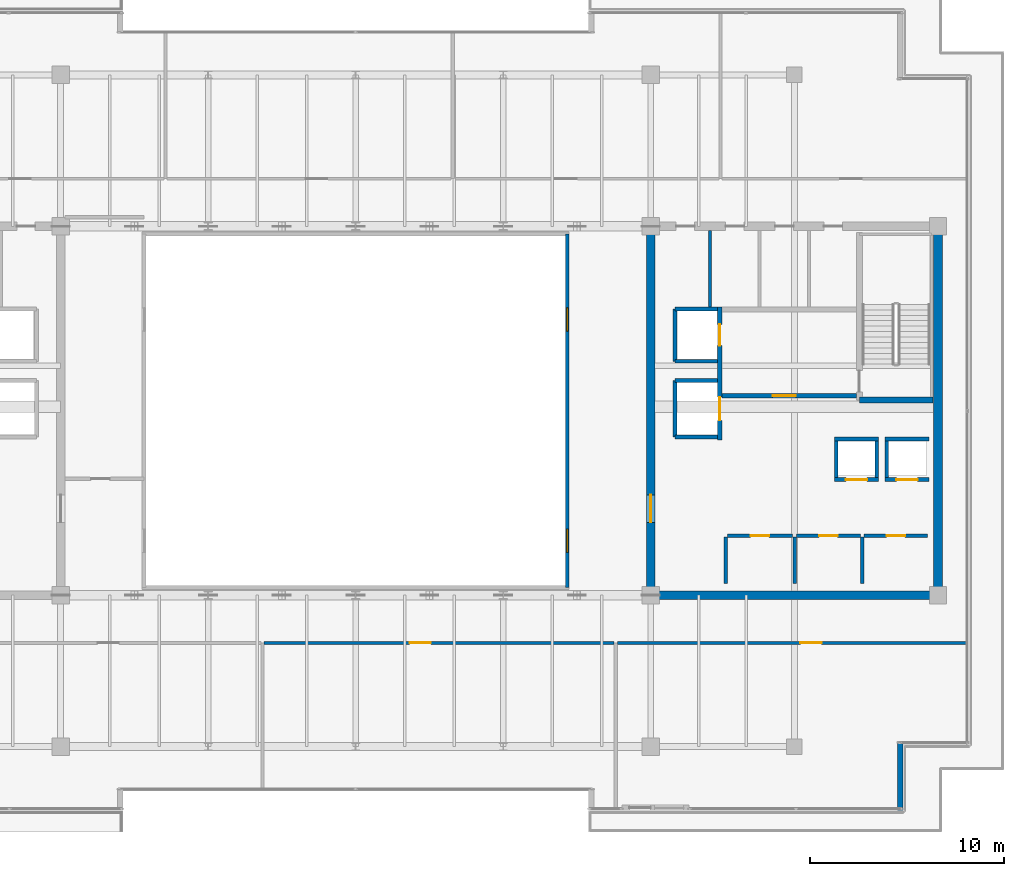
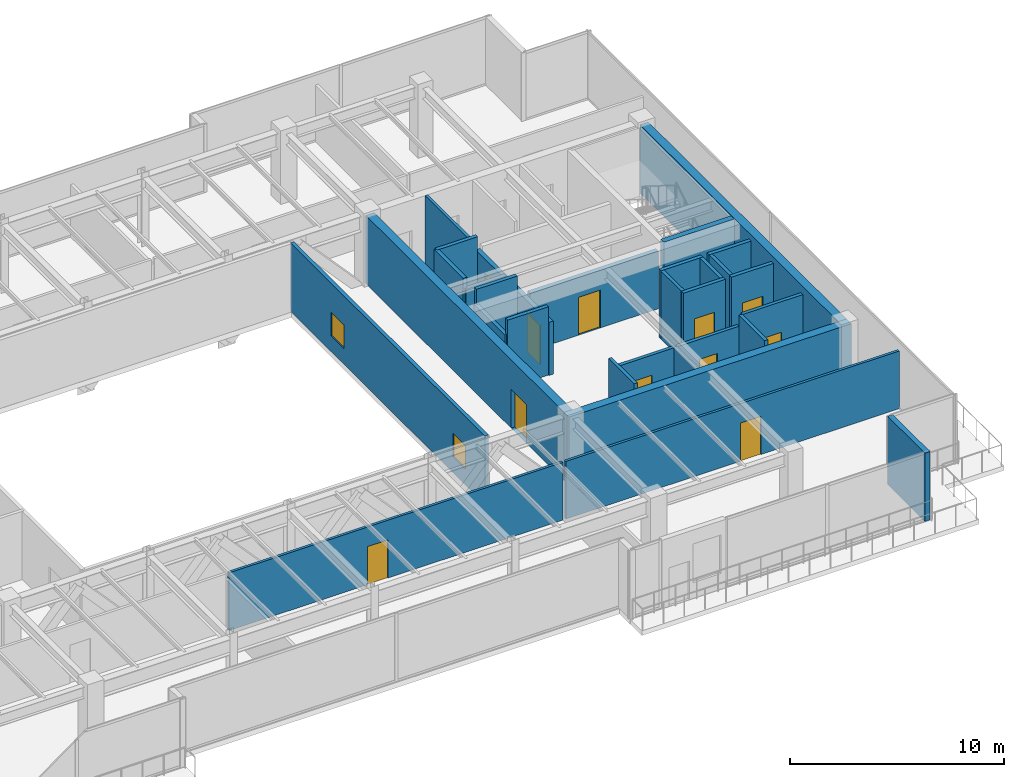
# One storey, part 28 of 34: 30 walls, 11 doors, 2 windows, 13 openings.
"""IFC4 building model written with IfcOpenShell, lengths in metres."""

from ifc_helpers import new_model, si_unit, direction, frame, frame_2d, origin, place, context, subcontext, project, spatial, rectangle, extrude, source, transform, mapped, material, layer, layer_set, type_object, type_shapes, element, fill, save


model = new_model("IFC4")

# Units and contexts
model_context = context("Model", 3, precision=1e-05, world=origin(), true_north=direction((0.0, 1.0)))
body_context = subcontext(model_context, "Body", "Model", "MODEL_VIEW")
ifc_project = project(units=[si_unit("LENGTHUNIT", "METRE"), si_unit("AREAUNIT", "SQUARE_METRE"), si_unit("VOLUMEUNIT", "CUBIC_METRE"), si_unit("PLANEANGLEUNIT", "RADIAN"), si_unit("MASSUNIT", "GRAM", prefix="KILO")], contexts=[model_context])

# Site, building, storey
site_placement = place(None, origin())
site = spatial("IfcSite", under=ifc_project, at=site_placement, CompositionType="ELEMENT")
building_placement = place(site_placement, origin())
building = spatial("IfcBuilding", under=site, at=building_placement, Name="Haelvirn Gate Laboratories", CompositionType="ELEMENT")
storey_placement = place(building_placement, frame((0.0, 0.0, 297.60009765625)))
storey = spatial("IfcBuildingStorey", under=building, at=storey_placement, Name="L71", CompositionType="ELEMENT", Elevation=297.60009765625)

# Wall
ifc_material_1 = material(Name="Thermally-broken bronze aluminium rainscreen & mineral wool", Category="aluminium")
ifc_layer_1 = layer(ifc_material_1, 0.280029296875, Name="EW-TERR-280")
ifc_layer_set_1 = layer_set([ifc_layer_1], Name="Thermally-broken bronze aluminium rainscreen & mineral wool")
wall_type_1 = type_object("IfcWallType", Name="EW-TERR-280", PredefinedType="STANDARD", material=ifc_layer_set_1)
wall_1_placement = place(storey_placement, frame((65.4599609375, 3.699951171875, 0.0), z_axis=(0.0, 0.0, 1.0), x_axis=(0.0, 1.0, 0.0)))
element("IfcWall", 1, at=wall_1_placement, inside=storey, type_object=wall_type_1, Name="L71 Atrium Recess Bronze Return Wall 05", PredefinedType="STANDARD", context=body_context, shape_type="SweptSolid", body=[
    extrude(rectangle(XDim=3.488037109375, YDim=0.280029296875, at=frame_2d((1.744140625, 0.0))), origin(), (0.0, 0.0, 1.0), 3.89990234375),
])

# Wall, openings, windows
ifc_material_2 = material(Name="Tempered fire-rated borosilicate glass & anodised aluminium", Category="aluminium")
ifc_layer_2 = layer(ifc_material_2, 0.195068359375, Name="IW-GLAZ-200")
ifc_layer_set_2 = layer_set([ifc_layer_2], Name="Tempered fire-rated borosilicate glass & anodised aluminium")
wall_type_2 = type_object("IfcWallType", Name="IW-GLAZ-200", PredefinedType="SOLIDWALL", material=ifc_layer_set_2)
wall_2_placement = place(storey_placement, frame((48.300048828125, 15.199951171875, 0.0), z_axis=(0.0, 0.0, 1.0), x_axis=(0.0, 1.0, 0.0)))
wall_2 = element("IfcWall", 2, at=wall_2_placement, inside=storey, type_object=wall_type_2, Name="L71 Interior Wall IW-L71-ATRIUM-E", PredefinedType="SOLIDWALL", context=body_context, shape_type="SweptSolid", body=[
    extrude(rectangle(XDim=18.199951171875, YDim=0.195068359375, at=frame_2d((9.10009765625, 0.0))), origin(), (0.0, 0.0, 1.0), 3.89990234375),
])
opening_1_placement = place(wall_2_placement, frame((1.800048828125, 0.0, 0.89990234375)))
opening_1 = element("IfcOpeningElement", 3, at=opening_1_placement, cuts=wall_2, Name="Opening W6", PredefinedType="OPENING", context=body_context, shape_type="SweptSolid", body=[
    extrude(rectangle(XDim=1.199951171875, YDim=1.35009765625, at=frame_2d((0.60009765625, 0.675048828125))), frame((0.0, 0.107421875, 0.0), z_axis=(0.0, -1.0, 0.0), x_axis=(1.0, 0.0, 0.0)), (0.0, 0.0, 1.0), 0.215087890625),
])
opening_2_placement = place(wall_2_placement, frame((13.199951171875, 0.0, 0.89990234375)))
opening_2 = element("IfcOpeningElement", 4, at=opening_2_placement, cuts=wall_2, Name="Opening W6", PredefinedType="OPENING", context=body_context, shape_type="SweptSolid", body=[
    extrude(rectangle(XDim=1.199951171875, YDim=1.35009765625, at=frame_2d((0.60009765625, 0.675048828125))), frame((0.0, 0.107421875, 0.0), z_axis=(0.0, -1.0, 0.0), x_axis=(1.0, 0.0, 0.0)), (0.0, 0.0, 1.0), 0.215087890625),
])
ifc_material_3 = material(Name="Fire-rated EI 120 borosilicate atrium vision glazing", Category="glass")
window_type = type_object("IfcWindowType", Name="WN-ATR-1200", PartitioningType="SINGLE_PANEL", PredefinedType="WINDOW", material=ifc_material_3)
shared_shape_1 = source(origin(), body_context, "Body", "SweptSolid", [
    extrude(rectangle(XDim=1.199951171875, YDim=1.35009765625, at=frame_2d((0.60009765625, 0.675048828125))), frame((0.0, 0.030029296875, 0.0), z_axis=(0.0, -1.0, 0.0), x_axis=(1.0, 0.0, 0.0)), (0.0, 0.0, 1.0), 0.06005859375),
])
type_shapes(window_type, [shared_shape_1])
window_1_placement = place(opening_1_placement, origin())
window_1 = element("IfcWindow", 5, at=window_1_placement, inside=storey, type_object=window_type, Name="L71 Atrium Observation Window 1", OverallHeight=1.35009765625, OverallWidth=1.199951171875, PartitioningType="SINGLE_PANEL", PredefinedType="WINDOW", context=body_context, shape_type="MappedRepresentation", body=[
    mapped(shared_shape_1, transform((0.0, 0.0, 0.0), scale=1.0)),
])
fill(opening_1, window_1)
window_2_placement = place(opening_2_placement, origin())
window_2 = element("IfcWindow", 6, at=window_2_placement, inside=storey, type_object=window_type, Name="L71 Atrium Observation Window 2", OverallHeight=1.35009765625, OverallWidth=1.199951171875, PartitioningType="SINGLE_PANEL", PredefinedType="WINDOW", context=body_context, shape_type="MappedRepresentation", body=[
    mapped(shared_shape_1, transform((0.0, 0.0, 0.0), scale=1.0)),
])
fill(opening_2, window_2)

# Wall, opening, door
ifc_material_4 = material(Name="Acoustic mineral-wool gypsum board partition", Category="gypsum")
ifc_layer_3 = layer(ifc_material_4, 0.139892578125, Name="IW-PART-140")
ifc_layer_set_3 = layer_set([ifc_layer_3], Name="Acoustic mineral-wool gypsum board partition")
wall_type_3 = type_object("IfcWallType", Name="IW-PART-140", PredefinedType="PARTITIONING", material=ifc_layer_set_3)
wall_3_placement = place(storey_placement, frame((32.679931640625, 12.340087890625, 0.0), z_axis=(0.0, 0.0, 1.0), x_axis=(1.0, 0.0, 0.0)))
wall_3 = element("IfcWall", 7, at=wall_3_placement, inside=storey, type_object=wall_type_3, Name="L71 Interior Wall IW-L71-SCORR-03", PredefinedType="PARTITIONING", context=body_context, shape_type="SweptSolid", body=[
    extrude(rectangle(XDim=18.0400390625, YDim=0.139892578125, at=frame_2d((9.02001953125, 0.0))), origin(), (0.0, 0.0, 1.0), 3.296875),
])
opening_3_placement = place(wall_3_placement, frame((7.49560546875, 0.0, 0.0)))
opening_3 = element("IfcOpeningElement", 8, at=opening_3_placement, cuts=wall_3, Name="Opening D1", PredefinedType="OPENING", context=body_context, shape_type="SweptSolid", body=[
    extrude(rectangle(XDim=1.10009765625, YDim=2.179931640625, at=frame_2d((0.550048828125, 1.08984375))), frame((0.0, 0.080078125, 0.0), z_axis=(0.0, -1.0, 0.0), x_axis=(1.0, 0.0, 0.0)), (0.0, 0.0, 1.0), 0.159912109375),
])
ifc_material_5 = material(Name="Vision-panel acoustic solid-core timber lab door", Category="wood")
door_type_1 = type_object("IfcDoorType", Name="DR-LAB-1100", OperationType="NOTDEFINED", PredefinedType="DOOR", material=ifc_material_5)
shared_shape_2 = source(origin(), body_context, "Body", "SweptSolid", [
    extrude(rectangle(XDim=1.10009765625, YDim=2.179931640625, at=frame_2d((0.550048828125, 1.08984375))), frame((0.0, 0.02490234375, 0.0), z_axis=(0.0, -1.0, 0.0), x_axis=(1.0, 0.0, 0.0)), (0.0, 0.0, 1.0), 0.050048828125),
])
type_shapes(door_type_1, [shared_shape_2])
door_1_placement = place(opening_3_placement, origin())
door_1 = element("IfcDoor", 9, at=door_1_placement, inside=storey, type_object=door_type_1, Name="L71 Bioinformatics Dry-Lab Workspace Door S3", OperationType="SINGLE_SWING_RIGHT", OverallHeight=2.179931640625, OverallWidth=1.10009765625, PredefinedType="DOOR", context=body_context, shape_type="MappedRepresentation", body=[
    mapped(shared_shape_2, transform((0.0, 0.0, 0.0), scale=1.0)),
])
fill(opening_3, door_1)

wall_4_placement = place(storey_placement, frame((50.8798828125, 12.340087890625, 0.0), z_axis=(0.0, 0.0, 1.0), x_axis=(1.0, 0.0, 0.0)))
wall_4 = element("IfcWall", 10, at=wall_4_placement, inside=storey, type_object=wall_type_3, Name="L71 Interior Wall IW-L71-SCORR-04", PredefinedType="PARTITIONING", context=body_context, shape_type="SweptSolid", body=[
    extrude(rectangle(XDim=18.010009765625, YDim=0.139892578125, at=frame_2d((9.0048828125, 0.0))), origin(), (0.0, 0.0, 1.0), 3.296875),
])
opening_4_placement = place(wall_4_placement, frame((9.427490234375, 0.0, 0.0)))
opening_4 = element("IfcOpeningElement", 11, at=opening_4_placement, cuts=wall_4, Name="Opening D1", PredefinedType="OPENING", context=body_context, shape_type="SweptSolid", body=[
    extrude(rectangle(XDim=1.10009765625, YDim=2.179931640625, at=frame_2d((0.550048828125, 1.08984375))), frame((0.0, 0.080078125, 0.0), z_axis=(0.0, -1.0, 0.0), x_axis=(1.0, 0.0, 0.0)), (0.0, 0.0, 1.0), 0.159912109375),
])
door_2_placement = place(opening_4_placement, origin())
door_2 = element("IfcDoor", 12, at=door_2_placement, inside=storey, type_object=door_type_1, Name="L71 Translational Data Office Door S4", OperationType="SINGLE_SWING_LEFT", OverallHeight=2.179931640625, OverallWidth=1.10009765625, PredefinedType="DOOR", context=body_context, shape_type="MappedRepresentation", body=[
    mapped(shared_shape_2, transform((0.0, 0.0, 0.0), scale=1.0)),
])
fill(opening_4, door_2)

# Walls
ifc_material_6 = material(Name="Cement-board restroom plumbing chase wall", Category="gypsum")
ifc_layer_4 = layer(ifc_material_6, 0.155029296875, Name="IW-PLUMB-160")
ifc_layer_set_4 = layer_set([ifc_layer_4], Name="Cement-board restroom plumbing chase wall")
wall_type_4 = type_object("IfcWallType", Name="IW-PLUMB-160", PredefinedType="PLUMBINGWALL", material=ifc_layer_set_4)
wall_5_placement = place(storey_placement, frame((55.659912109375, 29.64990234375, 0.0), z_axis=(0.0, 0.0, 1.0), x_axis=(0.0, 1.0, 0.0)))
element("IfcWall", 13, at=wall_5_placement, inside=storey, type_object=wall_type_4, Name="L71 Interior Wall IW-L71-E-CDIV-3", PredefinedType="PLUMBINGWALL", context=body_context, shape_type="SweptSolid", body=[
    extrude(rectangle(XDim=3.93017578125, YDim=0.155029296875, at=frame_2d((1.965087890625, 0.0))), origin(), (0.0, 0.0, 1.0), 3.89990234375),
])
ifc_material_7 = material(Name="Concrete C40/50", Category="concrete")
ifc_layer_5 = layer(ifc_material_7, 0.179931640625, Name="IW-SHAFT-180")
ifc_layer_set_5 = layer_set([ifc_layer_5], Name="Concrete C40/50")
wall_type_5 = type_object("IfcWallType", Name="IW-SHAFT-180", PredefinedType="SOLIDWALL", material=ifc_layer_set_5)
for number, where, z_axis, x_axis, name in (
    (14, (64.75, 20.85009765625, 0.0), (0.0, 0.0, 1.0), (0.0, 1.0, 0.0), "L71 Interior Wall IW-L71-PL11-SD"),
    (15, (62.14990234375, 20.85009765625, 0.0), (0.0, 0.0, 1.0), (0.0, 1.0, 0.0), "L71 Interior Wall IW-L71-PL12-SD"),
    (16, (64.25, 20.85009765625, 0.0), (0.0, 0.0, 1.0), (0.0, 1.0, 0.0), "L71 Interior Wall IW-L71-PL12-SDE"),
):
    element("IfcWall", number, at=place(storey_placement, frame(where, z_axis=z_axis, x_axis=x_axis)), inside=storey, type_object=wall_type_5, Name=name, PredefinedType="SOLIDWALL", context=body_context, shape_type="SweptSolid", body=[
        extrude(rectangle(XDim=1.89990234375, YDim=0.179931640625, at=frame_2d((0.949951171875, 0.0))), origin(), (0.0, 0.0, 1.0), 3.89990234375),
    ])

# Wall, opening, door
wall_6_placement = place(storey_placement, frame((63.60009765625, 17.85009765625, 0.0), z_axis=(0.0, 0.0, 1.0), x_axis=(1.0, 0.0, 0.0)))
wall_6 = element("IfcWall", 17, at=wall_6_placement, inside=storey, type_object=wall_type_5, Name="L71 Interior Wall IW-L71-E-FREED-HN-1", PredefinedType="SOLIDWALL", context=body_context, shape_type="SweptSolid", body=[
    extrude(rectangle(XDim=3.25, YDim=0.179931640625, at=frame_2d((1.625, 0.0))), origin(), (0.0, 0.0, 1.0), 3.89990234375),
])
opening_5_placement = place(wall_6_placement, frame((1.14990234375, 0.0, 0.0)))
opening_5 = element("IfcOpeningElement", 18, at=opening_5_placement, cuts=wall_6, Name="Opening FD4", PredefinedType="OPENING", context=body_context, shape_type="SweptSolid", body=[
    extrude(rectangle(XDim=0.949951171875, YDim=2.14990234375, at=frame_2d((0.47509765625, 1.074951171875))), frame((0.0, 0.10009765625, 0.0), z_axis=(0.0, -1.0, 0.0), x_axis=(1.0, 0.0, 0.0)), (0.0, 0.0, 1.0), 0.199951171875),
])
ifc_material_8 = material(Name="Fire-rated steel SM355 core service door", Category="steel")
door_type_2 = type_object("IfcDoorType", Name="DR-FD-950", OperationType="NOTDEFINED", PredefinedType="DOOR", material=ifc_material_8)
shared_shape_3 = source(origin(), body_context, "Body", "SweptSolid", [
    extrude(rectangle(XDim=0.949951171875, YDim=2.14990234375, at=frame_2d((0.47509765625, 1.074951171875))), frame((0.0, 0.02490234375, 0.0), z_axis=(0.0, -1.0, 0.0), x_axis=(1.0, 0.0, 0.0)), (0.0, 0.0, 1.0), 0.050048828125),
])
type_shapes(door_type_2, [shared_shape_3])
door_3_placement = place(opening_5_placement, origin())
door_3 = element("IfcDoor", 19, at=door_3_placement, inside=storey, type_object=door_type_2, Name="L71 Autoclave Bio-Prep Room Door", OperationType="SINGLE_SWING_LEFT", OverallHeight=2.14990234375, OverallWidth=0.949951171875, PredefinedType="DOOR", context=body_context, shape_type="MappedRepresentation", body=[
    mapped(shared_shape_3, transform((0.0, 0.0, 0.0), scale=1.0)),
])
fill(opening_5, door_3)

# Wall
wall_7_placement = place(storey_placement, frame((63.510009765625, 15.39990234375, 0.0), z_axis=(0.0, 0.0, 1.0), x_axis=(0.0, 1.0, 0.0)))
element("IfcWall", 20, at=wall_7_placement, inside=storey, type_object=wall_type_5, Name="L71 Interior Wall IW-L71-E-FREED-HE-1", PredefinedType="SOLIDWALL", context=body_context, shape_type="SweptSolid", body=[
    extrude(rectangle(XDim=2.400146484375, YDim=0.179931640625, at=frame_2d((1.2001953125, 0.0))), origin(), (0.0, 0.0, 1.0), 3.89990234375),
])

# Wall, opening, door
wall_8_placement = place(storey_placement, frame((60.10009765625, 17.85009765625, 0.0), z_axis=(0.0, 0.0, 1.0), x_axis=(1.0, 0.0, 0.0)))
wall_8 = element("IfcWall", 21, at=wall_8_placement, inside=storey, type_object=wall_type_5, Name="L71 Interior Wall IW-L71-E-FREED-HN-2", PredefinedType="SOLIDWALL", context=body_context, shape_type="SweptSolid", body=[
    extrude(rectangle(XDim=3.2998046875, YDim=0.179931640625, at=frame_2d((1.64990234375, 0.0))), origin(), (0.0, 0.0, 1.0), 3.296875),
])
opening_6_placement = place(wall_8_placement, frame((1.175048828125, 0.0, 0.0)))
opening_6 = element("IfcOpeningElement", 22, at=opening_6_placement, cuts=wall_8, Name="Opening FD4", PredefinedType="OPENING", context=body_context, shape_type="SweptSolid", body=[
    extrude(rectangle(XDim=0.949951171875, YDim=2.14990234375, at=frame_2d((0.47509765625, 1.074951171875))), frame((0.0, 0.10009765625, 0.0), z_axis=(0.0, -1.0, 0.0), x_axis=(1.0, 0.0, 0.0)), (0.0, 0.0, 1.0), 0.199951171875),
])
door_4_placement = place(opening_6_placement, origin())
door_4 = element("IfcDoor", 23, at=door_4_placement, inside=storey, type_object=door_type_2, Name="L71 Telemetry Analytics Room Door", OperationType="SINGLE_SWING_RIGHT", OverallHeight=2.14990234375, OverallWidth=0.949951171875, PredefinedType="DOOR", context=body_context, shape_type="MappedRepresentation", body=[
    mapped(shared_shape_3, transform((0.0, 0.0, 0.0), scale=1.0)),
])
fill(opening_6, door_4)

# Wall
wall_9_placement = place(storey_placement, frame((60.010009765625, 15.39990234375, 0.0), z_axis=(0.0, 0.0, 1.0), x_axis=(0.0, 1.0, 0.0)))
element("IfcWall", 24, at=wall_9_placement, inside=storey, type_object=wall_type_5, Name="L71 Interior Wall IW-L71-E-FREED-HE-2", PredefinedType="SOLIDWALL", context=body_context, shape_type="SweptSolid", body=[
    extrude(rectangle(XDim=2.400146484375, YDim=0.179931640625, at=frame_2d((1.2001953125, 0.0))), origin(), (0.0, 0.0, 1.0), 3.296875),
])

# Wall, opening, door
wall_10_placement = place(storey_placement, frame((56.550048828125, 17.85009765625, 0.0), z_axis=(0.0, 0.0, 1.0), x_axis=(1.0, 0.0, 0.0)))
wall_10 = element("IfcWall", 25, at=wall_10_placement, inside=storey, type_object=wall_type_5, Name="L71 Interior Wall IW-L71-E-FREED-HN-3", PredefinedType="SOLIDWALL", context=body_context, shape_type="SweptSolid", body=[
    extrude(rectangle(XDim=3.349853515625, YDim=0.179931640625, at=frame_2d((1.6748046875, 0.0))), origin(), (0.0, 0.0, 1.0), 3.296875),
])
opening_7_placement = place(wall_10_placement, frame((1.199951171875, 0.0, 0.0)))
opening_7 = element("IfcOpeningElement", 26, at=opening_7_placement, cuts=wall_10, Name="Opening FD4", PredefinedType="OPENING", context=body_context, shape_type="SweptSolid", body=[
    extrude(rectangle(XDim=0.949951171875, YDim=2.14990234375, at=frame_2d((0.47509765625, 1.074951171875))), frame((0.0, 0.10009765625, 0.0), z_axis=(0.0, -1.0, 0.0), x_axis=(1.0, 0.0, 0.0)), (0.0, 0.0, 1.0), 0.199951171875),
])
door_5_placement = place(opening_7_placement, origin())
door_5 = element("IfcDoor", 27, at=door_5_placement, inside=storey, type_object=door_type_2, Name="L71 Calibration Metrology Room Door", OperationType="SINGLE_SWING_LEFT", OverallHeight=2.14990234375, OverallWidth=0.949951171875, PredefinedType="DOOR", context=body_context, shape_type="MappedRepresentation", body=[
    mapped(shared_shape_3, transform((0.0, 0.0, 0.0), scale=1.0)),
])
fill(opening_7, door_5)

# Wall
wall_11_placement = place(storey_placement, frame((56.4599609375, 15.39990234375, 0.0), z_axis=(0.0, 0.0, 1.0), x_axis=(0.0, 1.0, 0.0)))
element("IfcWall", 28, at=wall_11_placement, inside=storey, type_object=wall_type_5, Name="L71 Interior Wall IW-L71-E-FREED-HE-3", PredefinedType="SOLIDWALL", context=body_context, shape_type="SweptSolid", body=[
    extrude(rectangle(XDim=2.400146484375, YDim=0.179931640625, at=frame_2d((1.2001953125, 0.0))), origin(), (0.0, 0.0, 1.0), 3.89990234375),
])

# Wall, opening, door
ifc_layer_6 = layer(ifc_material_7, 0.199951171875, Name="IW-SHAFT-200")
ifc_layer_set_6 = layer_set([ifc_layer_6], Name="Concrete C40/50")
wall_type_6 = type_object("IfcWallType", Name="IW-SHAFT-200", PredefinedType="SOLIDWALL", material=ifc_layer_set_6)
wall_12_placement = place(storey_placement, frame((64.669921875, 20.75, 0.0), z_axis=(0.0, 0.0, 1.0), x_axis=(1.0, 0.0, 0.0)))
wall_12 = element("IfcWall", 29, at=wall_12_placement, inside=storey, type_object=wall_type_6, Name="L71 Interior Wall IW-L71-PL11-FR", PredefinedType="SOLIDWALL", context=body_context, shape_type="SweptSolid", body=[
    extrude(rectangle(XDim=2.260009765625, YDim=0.199951171875, at=frame_2d((1.1298828125, 0.0))), origin(), (0.0, 0.0, 1.0), 3.89990234375),
])
opening_8_placement = place(wall_12_placement, frame((0.580078125, 0.0, 0.0)))
opening_8 = element("IfcOpeningElement", 30, at=opening_8_placement, cuts=wall_12, Name="Opening LD2", PredefinedType="OPENING", context=body_context, shape_type="SweptSolid", body=[
    extrude(rectangle(XDim=1.10009765625, YDim=2.219970703125, at=frame_2d((0.550048828125, 1.10986328125))), frame((0.0, 0.10986328125, 0.0), z_axis=(0.0, -1.0, 0.0), x_axis=(1.0, 0.0, 0.0)), (0.0, 0.0, 1.0), 0.219970703125),
])
ifc_material_9 = material(Name="Bronze stainless 316L sliding lift landing door")
door_type_3 = type_object("IfcDoorType", Name="DR-LD-1100", OperationType="NOTDEFINED", PredefinedType="USERDEFINED", material=ifc_material_9)
shared_shape_4 = source(origin(), body_context, "Body", "SweptSolid", [
    extrude(rectangle(XDim=1.10009765625, YDim=2.219970703125, at=frame_2d((0.550048828125, 1.10986328125))), frame((0.0, 0.02490234375, 0.0), z_axis=(0.0, -1.0, 0.0), x_axis=(1.0, 0.0, 0.0)), (0.0, 0.0, 1.0), 0.050048828125),
])
type_shapes(door_type_3, [shared_shape_4])
door_6_placement = place(opening_8_placement, origin())
door_6 = element("IfcDoor", 31, at=door_6_placement, inside=storey, type_object=door_type_3, Name="L71 Passenger Lift PL11 Landing Door", ObjectType="LANDING_DOOR", OperationType="SLIDING_TO_LEFT", OverallHeight=2.219970703125, OverallWidth=1.10009765625, PredefinedType="USERDEFINED", context=body_context, shape_type="MappedRepresentation", body=[
    mapped(shared_shape_4, transform((0.0, 0.0, 0.0), scale=1.0)),
])
fill(opening_8, door_6)

# Wall
wall_13_placement = place(storey_placement, frame((64.669921875, 22.85009765625, 0.0), z_axis=(0.0, 0.0, 1.0), x_axis=(1.0, 0.0, 0.0)))
element("IfcWall", 32, at=wall_13_placement, inside=storey, type_object=wall_type_6, Name="L71 Interior Wall IW-L71-PL11-BK", PredefinedType="SOLIDWALL", context=body_context, shape_type="SweptSolid", body=[
    extrude(rectangle(XDim=2.260009765625, YDim=0.199951171875, at=frame_2d((1.1298828125, 0.0))), origin(), (0.0, 0.0, 1.0), 3.89990234375),
])

# Wall, opening, door
wall_14_placement = place(storey_placement, frame((62.070068359375, 20.75, 0.0), z_axis=(0.0, 0.0, 1.0), x_axis=(1.0, 0.0, 0.0)))
wall_14 = element("IfcWall", 33, at=wall_14_placement, inside=storey, type_object=wall_type_6, Name="L71 Interior Wall IW-L71-PL12-FR", PredefinedType="SOLIDWALL", context=body_context, shape_type="SweptSolid", body=[
    extrude(rectangle(XDim=2.260009765625, YDim=0.199951171875, at=frame_2d((1.1298828125, 0.0))), origin(), (0.0, 0.0, 1.0), 3.89990234375),
])
opening_9_placement = place(wall_14_placement, frame((0.580078125, 0.0, 0.0)))
opening_9 = element("IfcOpeningElement", 34, at=opening_9_placement, cuts=wall_14, Name="Opening LD2", PredefinedType="OPENING", context=body_context, shape_type="SweptSolid", body=[
    extrude(rectangle(XDim=1.10009765625, YDim=2.219970703125, at=frame_2d((0.550048828125, 1.10986328125))), frame((0.0, 0.10986328125, 0.0), z_axis=(0.0, -1.0, 0.0), x_axis=(1.0, 0.0, 0.0)), (0.0, 0.0, 1.0), 0.219970703125),
])
door_7_placement = place(opening_9_placement, origin())
door_7 = element("IfcDoor", 35, at=door_7_placement, inside=storey, type_object=door_type_3, Name="L71 Passenger Lift PL12 Landing Door", ObjectType="LANDING_DOOR", OperationType="SLIDING_TO_RIGHT", OverallHeight=2.219970703125, OverallWidth=1.10009765625, PredefinedType="USERDEFINED", context=body_context, shape_type="MappedRepresentation", body=[
    mapped(shared_shape_4, transform((0.0, 0.0, 0.0), scale=1.0)),
])
fill(opening_9, door_7)

# Walls
wall_15_placement = place(storey_placement, frame((62.070068359375, 22.85009765625, 0.0), z_axis=(0.0, 0.0, 1.0), x_axis=(1.0, 0.0, 0.0)))
element("IfcWall", 36, at=wall_15_placement, inside=storey, type_object=wall_type_6, Name="L71 Interior Wall IW-L71-PL12-BK", PredefinedType="SOLIDWALL", context=body_context, shape_type="SweptSolid", body=[
    extrude(rectangle(XDim=2.260009765625, YDim=0.199951171875, at=frame_2d((1.1298828125, 0.0))), origin(), (0.0, 0.0, 1.0), 3.89990234375),
])
wall_16_placement = place(storey_placement, frame((53.85009765625, 26.85009765625, 0.0), z_axis=(0.0, 0.0, 1.0), x_axis=(0.0, 1.0, 0.0)))
element("IfcWall", 37, at=wall_16_placement, inside=storey, type_object=wall_type_6, Name="L71 Interior Wall IW-L71-FL2-BK", PredefinedType="SOLIDWALL", context=body_context, shape_type="SweptSolid", body=[
    extrude(rectangle(XDim=2.699951171875, YDim=0.199951171875, at=frame_2d((1.35009765625, 0.0))), origin(), (0.0, 0.0, 1.0), 3.89990234375),
])
wall_17_placement = place(storey_placement, frame((53.85009765625, 29.550048828125, 0.0), z_axis=(0.0, 0.0, 1.0), x_axis=(1.0, 0.0, 0.0)))
element("IfcWall", 38, at=wall_17_placement, inside=storey, type_object=wall_type_6, Name="L71 Interior Wall IW-L71-FL2-N", PredefinedType="SOLIDWALL", context=body_context, shape_type="SweptSolid", body=[
    extrude(rectangle(XDim=2.18994140625, YDim=0.199951171875, at=frame_2d((1.094970703125, 0.0))), origin(), (0.0, 0.0, 1.0), 3.89990234375),
])
wall_18_placement = place(storey_placement, frame((53.85009765625, 26.85009765625, 0.0), z_axis=(0.0, 0.0, 1.0), x_axis=(1.0, 0.0, 0.0)))
element("IfcWall", 39, at=wall_18_placement, inside=storey, type_object=wall_type_6, Name="L71 Interior Wall IW-L71-FL2-S", PredefinedType="SOLIDWALL", context=body_context, shape_type="SweptSolid", body=[
    extrude(rectangle(XDim=2.18994140625, YDim=0.199951171875, at=frame_2d((1.094970703125, 0.0))), origin(), (0.0, 0.0, 1.0), 3.296875),
])
wall_19_placement = place(storey_placement, frame((53.85009765625, 22.949951171875, 0.0), z_axis=(0.0, 0.0, 1.0), x_axis=(0.0, 1.0, 0.0)))
element("IfcWall", 40, at=wall_19_placement, inside=storey, type_object=wall_type_6, Name="L71 Interior Wall IW-L71-SL2-BK", PredefinedType="SOLIDWALL", context=body_context, shape_type="SweptSolid", body=[
    extrude(rectangle(XDim=2.900146484375, YDim=0.199951171875, at=frame_2d((1.4501953125, 0.0))), origin(), (0.0, 0.0, 1.0), 3.034912109375),
])
for number, where, z_axis, x_axis, name in (
    (41, (53.85009765625, 25.85009765625, 0.0), (0.0, 0.0, 1.0), (1.0, 0.0, 0.0), "L71 Interior Wall IW-L71-SL2-N"),
    (42, (53.85009765625, 22.949951171875, 0.0), (0.0, 0.0, 1.0), (1.0, 0.0, 0.0), "L71 Interior Wall IW-L71-SL2-S"),
):
    element("IfcWall", number, at=place(storey_placement, frame(where, z_axis=z_axis, x_axis=x_axis)), inside=storey, type_object=wall_type_6, Name=name, PredefinedType="SOLIDWALL", context=body_context, shape_type="SweptSolid", body=[
        extrude(rectangle(XDim=2.18994140625, YDim=0.199951171875, at=frame_2d((1.094970703125, 0.0))), origin(), (0.0, 0.0, 1.0), 3.89990234375),
    ])

# Wall, opening, door
ifc_layer_7 = layer(ifc_material_7, 0.239990234375, Name="IW-SHAFT-240")
ifc_layer_set_7 = layer_set([ifc_layer_7], Name="Concrete C40/50")
wall_type_7 = type_object("IfcWallType", Name="IW-SHAFT-240", PredefinedType="SOLIDWALL", material=ifc_layer_set_7)
wall_20_placement = place(storey_placement, frame((56.280029296875, 25.080078125, 0.0), z_axis=(0.0, 0.0, 1.0), x_axis=(1.0, 0.0, 0.0)))
wall_20 = element("IfcWall", 43, at=wall_20_placement, inside=storey, type_object=wall_type_7, Name="L71 Interior Wall IW-L71-E-FF-S", PredefinedType="SOLIDWALL", context=body_context, shape_type="SweptSolid", body=[
    extrude(rectangle(XDim=6.919921875, YDim=0.239990234375, at=frame_2d((3.4599609375, 0.0))), origin(), (0.0, 0.0, 1.0), 3.296875),
])
opening_10_placement = place(wall_20_placement, frame((2.60009765625, 0.0, 0.0)))
opening_10 = element("IfcOpeningElement", 44, at=opening_10_placement, cuts=wall_20, Name="Opening FD2", PredefinedType="OPENING", context=body_context, shape_type="SweptSolid", body=[
    extrude(rectangle(XDim=1.199951171875, YDim=2.159912109375, at=frame_2d((0.60009765625, 1.080078125))), frame((0.0, 0.1298828125, 0.0), z_axis=(0.0, -1.0, 0.0), x_axis=(1.0, 0.0, 0.0)), (0.0, 0.0, 1.0), 0.260009765625),
])
ifc_material_10 = material(Name="Fire-rated steel SM355 compartment door", Category="steel")
door_type_4 = type_object("IfcDoorType", Name="DR-FD-1200", OperationType="NOTDEFINED", PredefinedType="DOOR", material=ifc_material_10)
shared_shape_5 = source(origin(), body_context, "Body", "SweptSolid", [
    extrude(rectangle(XDim=1.199951171875, YDim=2.159912109375, at=frame_2d((0.60009765625, 1.080078125))), frame((0.0, 0.02490234375, 0.0), z_axis=(0.0, -1.0, 0.0), x_axis=(1.0, 0.0, 0.0)), (0.0, 0.0, 1.0), 0.050048828125),
])
type_shapes(door_type_4, [shared_shape_5])
door_8_placement = place(opening_10_placement, origin())
door_8 = element("IfcDoor", 45, at=door_8_placement, inside=storey, type_object=door_type_4, Name="L71 East Firefighting Lobby Door", OperationType="SINGLE_SWING_LEFT", OverallHeight=2.159912109375, OverallWidth=1.199951171875, PredefinedType="DOOR", context=body_context, shape_type="MappedRepresentation", body=[
    mapped(shared_shape_5, transform((0.0, 0.0, 0.0), scale=1.0)),
])
fill(opening_10, door_8)

# Wall, openings, doors
wall_21_placement = place(storey_placement, frame((56.159912109375, 22.800048828125, 0.0), z_axis=(0.0, 0.0, 1.0), x_axis=(0.0, 1.0, 0.0)))
wall_21 = element("IfcWall", 46, at=wall_21_placement, inside=storey, type_object=wall_type_7, Name="L71 Interior Wall IW-L71-E-FF-E", PredefinedType="SOLIDWALL", context=body_context, shape_type="SweptSolid", body=[
    extrude(rectangle(XDim=6.849853515625, YDim=0.239990234375, at=frame_2d((3.4248046875, 0.0))), origin(), (0.0, 0.0, 1.0), 3.034912109375),
])
opening_11_placement = place(wall_21_placement, frame((4.85009765625, 0.0, 0.0)))
opening_11 = element("IfcOpeningElement", 47, at=opening_11_placement, cuts=wall_21, Name="Opening LD2", PredefinedType="OPENING", context=body_context, shape_type="SweptSolid", body=[
    extrude(rectangle(XDim=1.10009765625, YDim=2.219970703125, at=frame_2d((0.550048828125, 1.10986328125))), frame((0.0, 0.1298828125, 0.0), z_axis=(0.0, -1.0, 0.0), x_axis=(1.0, 0.0, 0.0)), (0.0, 0.0, 1.0), 0.260009765625),
])
opening_12_placement = place(wall_21_placement, frame((1.0, 0.0, 0.0)))
opening_12 = element("IfcOpeningElement", 48, at=opening_12_placement, cuts=wall_21, Name="Opening LD1", PredefinedType="OPENING", context=body_context, shape_type="SweptSolid", body=[
    extrude(rectangle(XDim=1.199951171875, YDim=2.219970703125, at=frame_2d((0.60009765625, 1.10986328125))), frame((0.0, 0.1298828125, 0.0), z_axis=(0.0, -1.0, 0.0), x_axis=(1.0, 0.0, 0.0)), (0.0, 0.0, 1.0), 0.260009765625),
])
door_9_placement = place(opening_11_placement, origin())
door_9 = element("IfcDoor", 49, at=door_9_placement, inside=storey, type_object=door_type_3, Name="L71 Firefighting Lift FL2 Landing Door", ObjectType="LANDING_DOOR", OperationType="SLIDING_TO_RIGHT", OverallHeight=2.219970703125, OverallWidth=1.10009765625, PredefinedType="USERDEFINED", context=body_context, shape_type="MappedRepresentation", body=[
    mapped(shared_shape_4, transform((0.0, 0.0, 0.0), scale=1.0)),
])
fill(opening_11, door_9)
ifc_material_11 = material(Name="Stainless steel 316L sliding goods landing door", Category="steel")
door_type_5 = type_object("IfcDoorType", Name="DR-LD-1200", OperationType="NOTDEFINED", PredefinedType="USERDEFINED", material=ifc_material_11)
shared_shape_6 = source(origin(), body_context, "Body", "SweptSolid", [
    extrude(rectangle(XDim=1.199951171875, YDim=2.219970703125, at=frame_2d((0.60009765625, 1.10986328125))), frame((0.0, 0.02490234375, 0.0), z_axis=(0.0, -1.0, 0.0), x_axis=(1.0, 0.0, 0.0)), (0.0, 0.0, 1.0), 0.050048828125),
])
type_shapes(door_type_5, [shared_shape_6])
door_10_placement = place(opening_12_placement, origin())
door_10 = element("IfcDoor", 50, at=door_10_placement, inside=storey, type_object=door_type_5, Name="L71 Service Lift SL2 Landing Door", ObjectType="LANDING_DOOR", OperationType="SLIDING_TO_LEFT", OverallHeight=2.219970703125, OverallWidth=1.199951171875, PredefinedType="USERDEFINED", context=body_context, shape_type="MappedRepresentation", body=[
    mapped(shared_shape_6, transform((0.0, 0.0, 0.0), scale=1.0)),
])
fill(opening_12, door_10)

# Wall
ifc_material_12 = material(Name="Concrete C50/60", Category="concrete")
ifc_layer_8 = layer(ifc_material_12, 0.449951171875, Name="SW-CORE-450")
ifc_layer_set_8 = layer_set([ifc_layer_8], Name="Concrete C50/60")
wall_type_8 = type_object("IfcWallType", Name="SW-CORE-450", PredefinedType="SHEAR", material=ifc_layer_set_8)
wall_22_placement = place(storey_placement, frame((52.375, 14.800048828125, 0.0), z_axis=(0.0, 0.0, 1.0), x_axis=(1.0, 0.0, 0.0)))
element("IfcWall", 51, at=wall_22_placement, inside=storey, type_object=wall_type_8, Name="L71 E Core Shear Wall S", PredefinedType="SHEAR", context=body_context, shape_type="SweptSolid", body=[
    extrude(rectangle(XDim=15.25, YDim=0.449951171875, at=frame_2d((7.625, 0.0))), origin(), (0.0, 0.0, 1.0), 3.89990234375),
])

# Wall, opening, door
wall_23_placement = place(storey_placement, frame((52.60009765625, 15.02490234375, 0.0), z_axis=(0.0, 0.0, 1.0), x_axis=(0.0, 1.0, 0.0)))
wall_23 = element("IfcWall", 52, at=wall_23_placement, inside=storey, type_object=wall_type_8, Name="L71 E Core Shear Wall W", PredefinedType="SHEAR", context=body_context, shape_type="SweptSolid", body=[
    extrude(rectangle(XDim=18.550048828125, YDim=0.449951171875, at=frame_2d((9.27490234375, 0.0))), origin(), (0.0, 0.0, 1.0), 3.89990234375),
])
opening_13_placement = place(wall_23_placement, frame((3.52490234375, 0.0, 0.0)))
opening_13 = element("IfcOpeningElement", 53, at=opening_13_placement, cuts=wall_23, Name="Opening FD1", PredefinedType="OPENING", context=body_context, shape_type="SweptSolid", body=[
    extrude(rectangle(XDim=1.419921875, YDim=2.199951171875, at=frame_2d((0.7099609375, 1.10009765625))), frame((0.0, 0.23486328125, 0.0), z_axis=(0.0, -1.0, 0.0), x_axis=(1.0, 0.0, 0.0)), (0.0, 0.0, 1.0), 0.469970703125),
])
ifc_material_13 = material(Name="Fire-rated double steel SM355 lobby door", Category="steel")
door_type_6 = type_object("IfcDoorType", Name="DR-FD-1400", OperationType="NOTDEFINED", PredefinedType="DOOR", material=ifc_material_13)
shared_shape_7 = source(origin(), body_context, "Body", "SweptSolid", [
    extrude(rectangle(XDim=1.419921875, YDim=2.199951171875, at=frame_2d((0.7099609375, 1.10009765625))), frame((0.0, 0.02490234375, 0.0), z_axis=(0.0, -1.0, 0.0), x_axis=(1.0, 0.0, 0.0)), (0.0, 0.0, 1.0), 0.050048828125),
])
type_shapes(door_type_6, [shared_shape_7])
door_11_placement = place(opening_13_placement, origin())
door_11 = element("IfcDoor", 54, at=door_11_placement, inside=storey, type_object=door_type_6, Name="L71 East Core Lift Lobby Fire Door", OperationType="DOUBLE_DOOR_SINGLE_SWING", OverallHeight=2.199951171875, OverallWidth=1.419921875, PredefinedType="DOOR", context=body_context, shape_type="MappedRepresentation", body=[
    mapped(shared_shape_7, transform((0.0, 0.0, 0.0), scale=1.0)),
])
fill(opening_13, door_11)

# Walls
wall_24_placement = place(storey_placement, frame((67.39990234375, 15.02490234375, 0.0), z_axis=(0.0, 0.0, 1.0), x_axis=(0.0, 1.0, 0.0)))
element("IfcWall", 55, at=wall_24_placement, inside=storey, type_object=wall_type_8, Name="L71 E Core Shear Wall E", PredefinedType="SHEAR", context=body_context, shape_type="SweptSolid", body=[
    extrude(rectangle(XDim=18.550048828125, YDim=0.449951171875, at=frame_2d((9.27490234375, 0.0))), origin(), (0.0, 0.0, 1.0), 3.89990234375),
])
ifc_layer_9 = layer(ifc_material_12, 0.300048828125, Name="SW-STAIR-300")
ifc_layer_set_9 = layer_set([ifc_layer_9], Name="Concrete C50/60")
wall_type_9 = type_object("IfcWallType", Name="SW-STAIR-300", PredefinedType="SHEAR", material=ifc_layer_set_9)
wall_25_placement = place(storey_placement, frame((63.35009765625, 24.85009765625, 0.0), z_axis=(0.0, 0.0, 1.0), x_axis=(1.0, 0.0, 0.0)))
element("IfcWall", 56, at=wall_25_placement, inside=storey, type_object=wall_type_9, Name="L71 E Core Stair Shaft Structural Wall S", PredefinedType="SHEAR", context=body_context, shape_type="SweptSolid", body=[
    extrude(rectangle(XDim=3.7998046875, YDim=0.300048828125, at=frame_2d((1.89990234375, 0.0))), origin(), (0.0, 0.0, 1.0), 3.89990234375),
])

save(model, "model.ifc")
